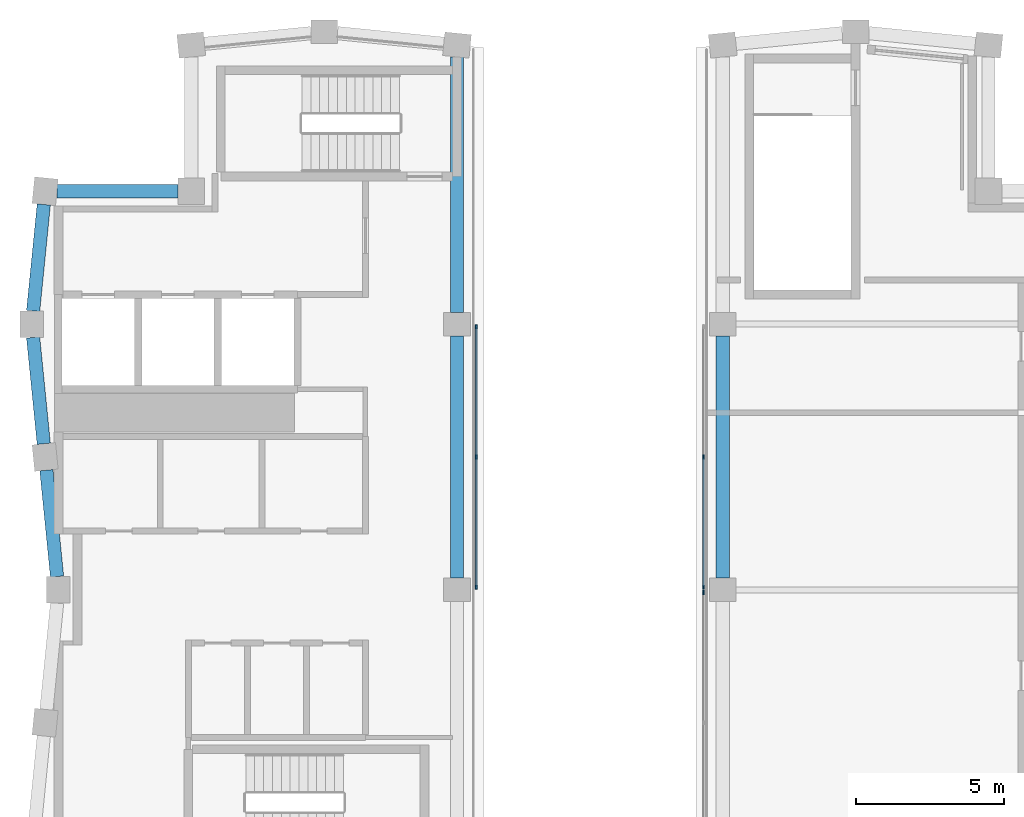
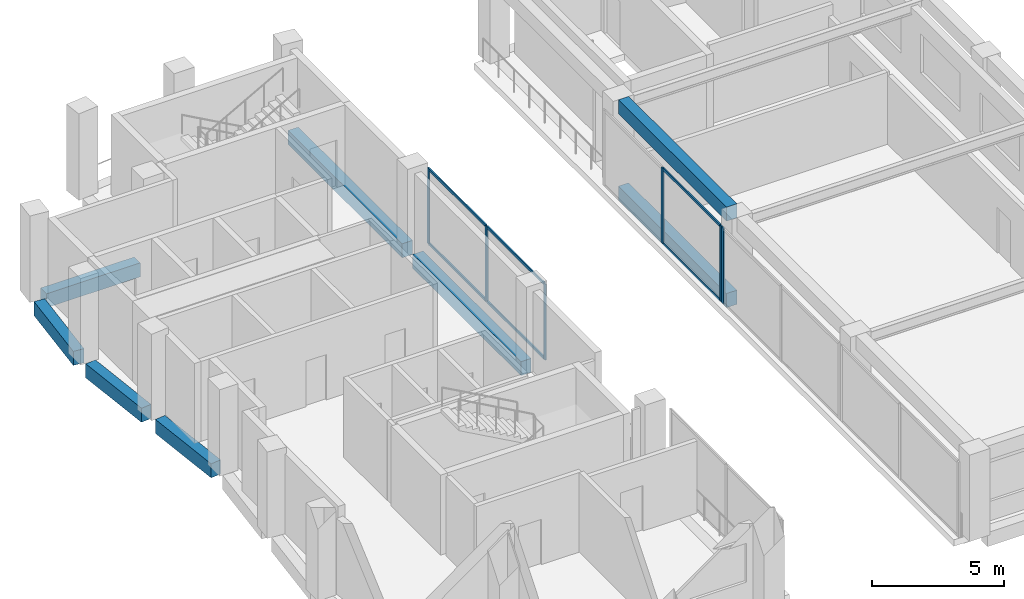
# One storey, part 4 of 9: 12 members, 8 beams, 3 elements without a shape of their own.
"""IFC4 building model written with IfcOpenShell, lengths in metres."""

from ifc_helpers import new_model, si_unit, direction, frame, origin, origin_2d, place, context, subcontext, project, spatial, rectangle, extrude, material, material_profile, profile_set, type_object, element, aggregate, save


model = new_model("IFC4")

# Units and contexts
model_context = context("Model", 3, precision=1e-05, world=origin(), true_north=direction((0.0, 1.0)))
body_context = subcontext(model_context, "Body", "Model", "MODEL_VIEW")
ifc_project = project(units=[si_unit("LENGTHUNIT", "METRE"), si_unit("AREAUNIT", "SQUARE_METRE"), si_unit("VOLUMEUNIT", "CUBIC_METRE"), si_unit("PLANEANGLEUNIT", "RADIAN"), si_unit("MASSUNIT", "GRAM", prefix="KILO")], contexts=[model_context])

# Site, building, storey
site_placement = place(None, origin())
site = spatial("IfcSite", under=ifc_project, at=site_placement, CompositionType="ELEMENT")
building_placement = place(site_placement, origin())
building = spatial("IfcBuilding", under=site, at=building_placement, Name="Brondeck Convention Tower", CompositionType="ELEMENT")
storey_placement = place(building_placement, frame((0.0, 0.0, 294.800048828125)))
storey = spatial("IfcBuildingStorey", under=building, at=storey_placement, Name="L73", CompositionType="ELEMENT", Elevation=294.800048828125)

# Curtain wall, members
ifc_material_1 = material(Name="Aluminium, bronze anodised", Category="aluminium")
curtain_wall_type = type_object("IfcCurtainWallType", Name="Crown screen curtain wall", PredefinedType="NOTDEFINED", material=ifc_material_1)
curtain_wall_1_placement = place(storey_placement, origin())
curtain_wall_1 = element("IfcCurtainWall", 1, at=curtain_wall_1_placement, inside=storey, type_object=curtain_wall_type, Name="ENV-CW4-L73-K1-SLOT-W-05", PredefinedType="NOTDEFINED")
ifc_material_profile_1 = material_profile(ifc_material_1, rectangle(XDim=0.06005859375, YDim=0.139892578125, at=origin_2d()), Name="CW4 mullion")
ifc_profile_set_1 = profile_set([ifc_material_profile_1], Name="Aluminium, bronze anodised")
member_type_1 = type_object("IfcMemberType", Name="CW4 mullion", PredefinedType="MULLION", material=ifc_profile_set_1)
member_1_placement = place(storey_placement, frame((14.14990234375, 53.909912109375, 0.0), z_axis=(0.0, 0.0, 1.0), x_axis=(1.0, 0.0, 0.0)))
member_1 = element("IfcMember", 2, at=member_1_placement, type_object=member_type_1, Name="CW4 mullion 1", PredefinedType="MULLION", context=body_context, shape_type="SweptSolid", body=[
    extrude(rectangle(XDim=0.06005859375, YDim=0.139892578125, at=origin_2d()), origin(), (0.0, 0.0, 1.0), 3.5),
])
member_2_placement = place(storey_placement, frame((14.14990234375, 49.5, 0.0), z_axis=(0.0, 0.0, 1.0), x_axis=(1.0, 0.0, 0.0)))
member_2 = element("IfcMember", 3, at=member_2_placement, type_object=member_type_1, Name="CW4 mullion 2", PredefinedType="MULLION", context=body_context, shape_type="SweptSolid", body=[
    extrude(rectangle(XDim=0.06005859375, YDim=0.139892578125, at=origin_2d()), origin(), (0.0, 0.0, 1.0), 3.5),
])
member_3_placement = place(storey_placement, frame((14.14990234375, 45.090087890625, 0.0), z_axis=(0.0, 0.0, 1.0), x_axis=(1.0, 0.0, 0.0)))
member_3 = element("IfcMember", 4, at=member_3_placement, type_object=member_type_1, Name="CW4 mullion 3", PredefinedType="MULLION", context=body_context, shape_type="SweptSolid", body=[
    extrude(rectangle(XDim=0.06005859375, YDim=0.139892578125, at=origin_2d()), origin(), (0.0, 0.0, 1.0), 3.5),
])

curtain_wall_2_placement = place(storey_placement, origin())
curtain_wall_2 = element("IfcCurtainWall", 5, at=curtain_wall_2_placement, inside=storey, type_object=curtain_wall_type, Name="ENV-CW4-L73-K2-SLOT-E-03", PredefinedType="NOTDEFINED")
member_4_placement = place(storey_placement, frame((21.85009765625, 45.090087890625, 0.0), z_axis=(0.0, 0.0, 1.0), x_axis=(-1.0, 0.0, 0.0)))
member_4 = element("IfcMember", 6, at=member_4_placement, type_object=member_type_1, Name="CW4 mullion 1", PredefinedType="MULLION", context=body_context, shape_type="SweptSolid", body=[
    extrude(rectangle(XDim=0.06005859375, YDim=0.139892578125, at=origin_2d()), origin(), (0.0, 0.0, 1.0), 3.5),
])
member_5_placement = place(storey_placement, frame((21.85009765625, 49.5, 0.0), z_axis=(0.0, 0.0, 1.0), x_axis=(-1.0, 0.0, 0.0)))
member_5 = element("IfcMember", 7, at=member_5_placement, type_object=member_type_1, Name="CW4 mullion 2", PredefinedType="MULLION", context=body_context, shape_type="SweptSolid", body=[
    extrude(rectangle(XDim=0.06005859375, YDim=0.139892578125, at=origin_2d()), origin(), (0.0, 0.0, 1.0), 3.5),
])

# Curtain wall, member
curtain_wall_3_placement = place(storey_placement, origin())
curtain_wall_3 = element("IfcCurtainWall", 8, at=curtain_wall_3_placement, inside=storey, type_object=curtain_wall_type, Name="ENV-CW4-L73-K2-SLOT-E-05", PredefinedType="NOTDEFINED")
member_6_placement = place(storey_placement, frame((21.85009765625, 44.909912109375, 0.0), z_axis=(0.0, 0.0, 1.0), x_axis=(-1.0, 0.0, 0.0)))
member_6 = element("IfcMember", 9, at=member_6_placement, type_object=member_type_1, Name="CW4 mullion 3", PredefinedType="MULLION", context=body_context, shape_type="SweptSolid", body=[
    extrude(rectangle(XDim=0.06005859375, YDim=0.139892578125, at=origin_2d()), origin(), (0.0, 0.0, 1.0), 3.5),
])
aggregate(curtain_wall_3, [member_6])

# Member
ifc_material_profile_2 = material_profile(ifc_material_1, rectangle(XDim=0.06005859375, YDim=0.1201171875, at=origin_2d()), Name="CW4 transom")
ifc_profile_set_2 = profile_set([ifc_material_profile_2], Name="Aluminium, bronze anodised")
member_type_2 = type_object("IfcMemberType", Name="CW4 transom", PredefinedType="USERDEFINED", material=ifc_profile_set_2)
member_7_placement = place(storey_placement, frame((14.14990234375, 53.8798828125, 0.030029296875), z_axis=(0.0, -1.0, 0.0), x_axis=(1.0, 0.0, 0.0)))
member_7 = element("IfcMember", 10, at=member_7_placement, type_object=member_type_2, Name="CW4 transom 1.1", ObjectType="TRANSOM", PredefinedType="USERDEFINED", context=body_context, shape_type="SweptSolid", body=[
    extrude(rectangle(XDim=0.06005859375, YDim=0.1201171875, at=origin_2d()), origin(), (0.0, 0.0, 1.0), 4.349853515625),
])

member_8_placement = place(storey_placement, frame((14.14990234375, 53.8798828125, 3.469970703125), z_axis=(0.0, -1.0, 0.0), x_axis=(1.0, 0.0, 0.0)))
member_8 = element("IfcMember", 11, at=member_8_placement, type_object=member_type_2, Name="CW4 transom 1.2", ObjectType="TRANSOM", PredefinedType="USERDEFINED", context=body_context, shape_type="SweptSolid", body=[
    extrude(rectangle(XDim=0.06005859375, YDim=0.1201171875, at=origin_2d()), origin(), (0.0, 0.0, 1.0), 4.349853515625),
])

member_9_placement = place(storey_placement, frame((14.14990234375, 49.469970703125, 0.030029296875), z_axis=(0.0, -1.0, 0.0), x_axis=(1.0, 0.0, 0.0)))
member_9 = element("IfcMember", 12, at=member_9_placement, type_object=member_type_2, Name="CW4 transom 2.1", ObjectType="TRANSOM", PredefinedType="USERDEFINED", context=body_context, shape_type="SweptSolid", body=[
    extrude(rectangle(XDim=0.06005859375, YDim=0.1201171875, at=origin_2d()), origin(), (0.0, 0.0, 1.0), 4.349853515625),
])

member_10_placement = place(storey_placement, frame((14.14990234375, 49.469970703125, 3.469970703125), z_axis=(0.0, -1.0, 0.0), x_axis=(1.0, 0.0, 0.0)))
member_10 = element("IfcMember", 13, at=member_10_placement, type_object=member_type_2, Name="CW4 transom 2.2", ObjectType="TRANSOM", PredefinedType="USERDEFINED", context=body_context, shape_type="SweptSolid", body=[
    extrude(rectangle(XDim=0.06005859375, YDim=0.1201171875, at=origin_2d()), origin(), (0.0, 0.0, 1.0), 4.349853515625),
])

aggregate(curtain_wall_1, [member_1, member_2, member_3, member_7, member_8, member_9, member_10])

member_11_placement = place(storey_placement, frame((21.85009765625, 45.1201171875, 0.030029296875), z_axis=(0.0, 1.0, 0.0), x_axis=(-1.0, 0.0, 0.0)))
member_11 = element("IfcMember", 14, at=member_11_placement, type_object=member_type_2, Name="CW4 transom 1.1", ObjectType="TRANSOM", PredefinedType="USERDEFINED", context=body_context, shape_type="SweptSolid", body=[
    extrude(rectangle(XDim=0.06005859375, YDim=0.1201171875, at=origin_2d()), origin(), (0.0, 0.0, 1.0), 4.349853515625),
])

member_12_placement = place(storey_placement, frame((21.85009765625, 45.1201171875, 3.469970703125), z_axis=(0.0, 1.0, 0.0), x_axis=(-1.0, 0.0, 0.0)))
member_12 = element("IfcMember", 15, at=member_12_placement, type_object=member_type_2, Name="CW4 transom 1.2", ObjectType="TRANSOM", PredefinedType="USERDEFINED", context=body_context, shape_type="SweptSolid", body=[
    extrude(rectangle(XDim=0.06005859375, YDim=0.1201171875, at=origin_2d()), origin(), (0.0, 0.0, 1.0), 4.349853515625),
])

aggregate(curtain_wall_2, [member_4, member_5, member_11, member_12])

# Beams
ifc_material_2 = material(Name="Concrete C50/60", Category="concrete")
ifc_material_profile_3 = material_profile(ifc_material_2, rectangle(XDim=0.449951171875, YDim=0.64990234375, at=origin_2d()), Name="Precast spandrel 450x650 Concrete C50/60")
ifc_profile_set_3 = profile_set([ifc_material_profile_3], Name="Concrete C50/60")
beam_type = type_object("IfcBeamType", Name="Precast spandrel 450x650 Concrete C50/60", PredefinedType="SPANDREL", material=ifc_profile_set_3)
beam_1_placement = place(storey_placement, frame((13.5, 45.39990234375, -0.324951171875), z_axis=(0.0, 1.0, 0.0), x_axis=(-1.0, 0.0, 0.0)))
element("IfcBeam", 16, at=beam_1_placement, inside=storey, type_object=beam_type, Name="STR-SP-L73K1-004", PredefinedType="SPANDREL", context=body_context, shape_type="SweptSolid", body=[
    extrude(rectangle(XDim=0.449951171875, YDim=0.64990234375, at=origin_2d()), origin(), (0.0, 0.0, 1.0), 8.2001953125),
])
beam_2_placement = place(storey_placement, frame((13.5, 54.39990234375, -0.324951171875), z_axis=(0.0, 1.0, 0.0), x_axis=(-1.0, 0.0, 0.0)))
element("IfcBeam", 17, at=beam_2_placement, inside=storey, type_object=beam_type, Name="STR-SP-L73K1-005", PredefinedType="SPANDREL", context=body_context, shape_type="SweptSolid", body=[
    extrude(rectangle(XDim=0.449951171875, YDim=0.64990234375, at=origin_2d()), origin(), (0.0, 0.0, 1.0), 8.648193359375),
])
beam_3_placement = place(storey_placement, frame((4.050048828125, 58.5, -0.324951171875), z_axis=(-1.0, 0.0, 0.0), x_axis=(0.0, -1.0, 0.0)))
element("IfcBeam", 18, at=beam_3_placement, inside=storey, type_object=beam_type, Name="STR-SP-L73K1-009", PredefinedType="SPANDREL", context=body_context, shape_type="SweptSolid", body=[
    extrude(rectangle(XDim=0.449951171875, YDim=0.64990234375, at=origin_2d()), origin(), (0.0, 0.0, 1.0), 4.09814453125),
])
for number, where, z_axis, x_axis, name in (
    (19, (-0.494873046875, 58.05224609375, -0.324951171875), (-0.099470334057, -0.995040528141, 0.0), (0.995040528141, -0.099470334057, 0.0), "STR-SP-L73K1-010"),
    (20, (-0.85498046875, 53.550048828125, -0.324951171875), (0.099470334057, -0.995040528141, 0.0), (0.995040528141, 0.099470334057, 0.0), "STR-SP-L73K1-011"),
    (21, (-0.4052734375, 49.05224609375, -0.324951171875), (0.099537103649, -0.995033851182, 0.0), (0.995033851182, 0.099537103649, 0.0), "STR-SP-L73K1-012"),
):
    element("IfcBeam", number, at=place(storey_placement, frame(where, z_axis=z_axis, x_axis=x_axis)), inside=storey, type_object=beam_type, Name=name, PredefinedType="SPANDREL", context=body_context, shape_type="SweptSolid", body=[
        extrude(rectangle(XDim=0.449951171875, YDim=0.64990234375, at=origin_2d()), origin(), (0.0, 0.0, 1.0), 3.620361328125),
    ])
for number, where, z_axis, x_axis, name in (
    (22, (22.5, 53.60009765625, -0.324951171875), (0.0, -1.0, 0.0), (1.0, 0.0, 0.0), "STR-SP-L73K2-015"),
    (23, (22.5, 53.60009765625, 3.675048828125), (0.0, -1.0, 0.0), (1.0, 0.0, 0.0), "STR-SP-L73RP2-015"),
):
    element("IfcBeam", number, at=place(storey_placement, frame(where, z_axis=z_axis, x_axis=x_axis)), inside=storey, type_object=beam_type, Name=name, PredefinedType="SPANDREL", context=body_context, shape_type="SweptSolid", body=[
        extrude(rectangle(XDim=0.449951171875, YDim=0.64990234375, at=origin_2d()), origin(), (0.0, 0.0, 1.0), 8.2001953125),
    ])

save(model, "model.ifc")
